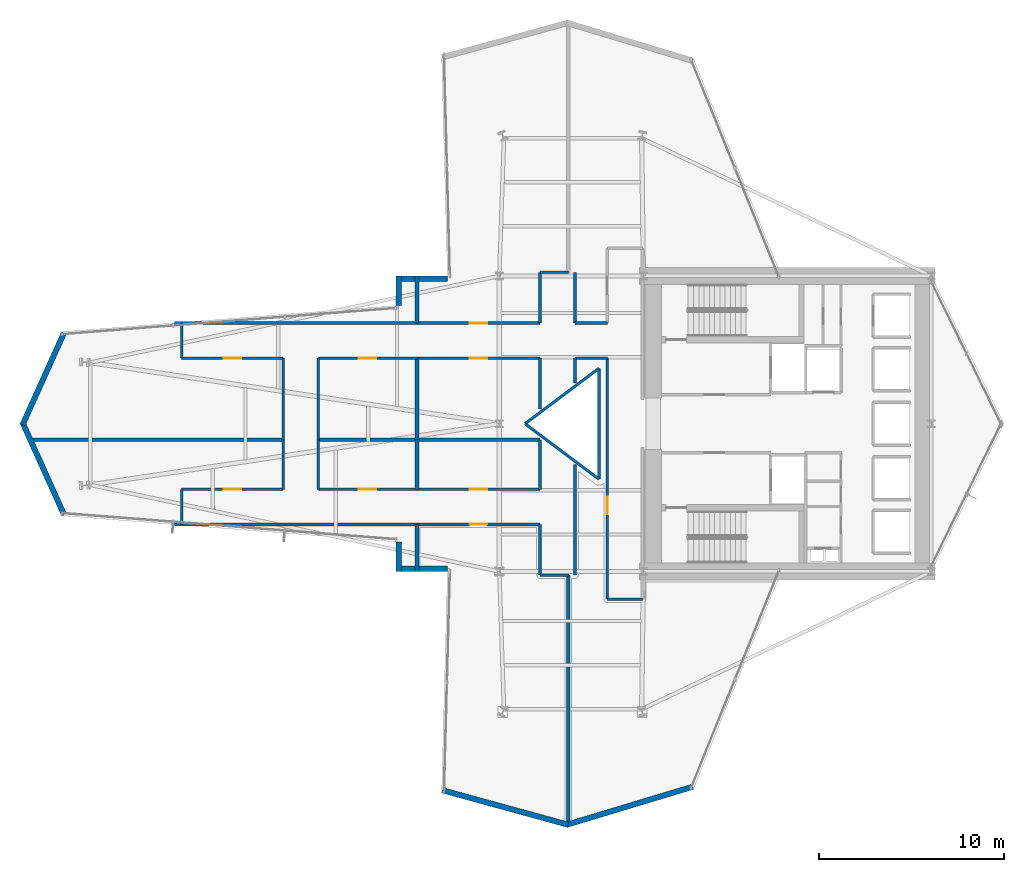
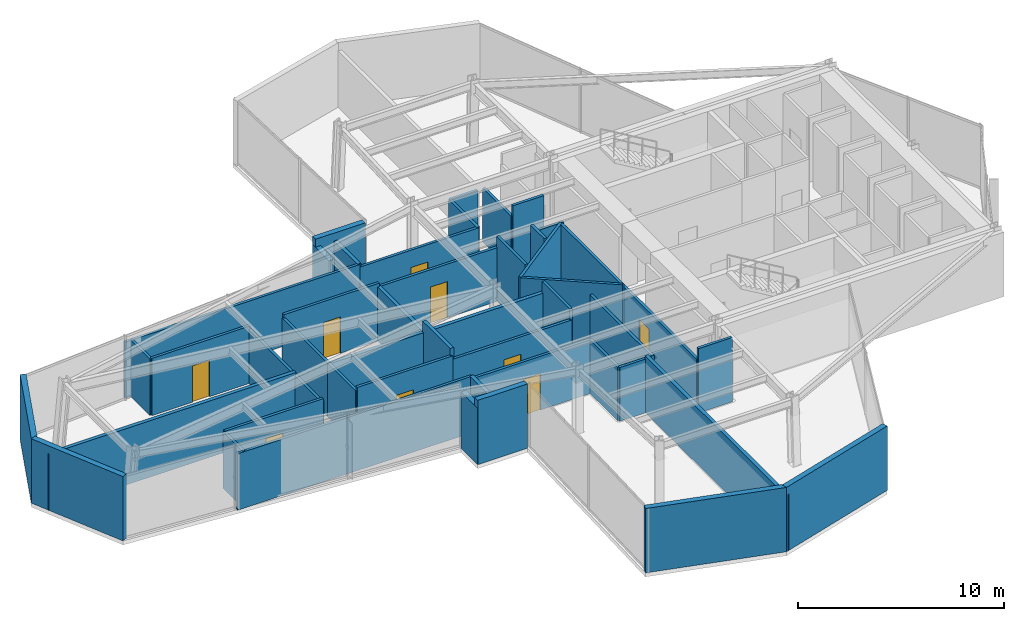
# One storey, part 27 of 31: 48 walls, 9 doors, 9 openings.
"""IFC4 building model written with IfcOpenShell, lengths in metres."""

from ifc_helpers import new_model, si_unit, direction, frame, frame_2d, origin, place, context, subcontext, project, spatial, rectangle, extrude, material, layer, layer_set, type_object, element, fill, save


model = new_model("IFC4")

# Units and contexts
model_context = context("Model", 3, precision=1e-05, world=origin(), true_north=direction((0.0, 1.0)))
body_context = subcontext(model_context, "Body", "Model", "MODEL_VIEW")
ifc_project = project(units=[si_unit("LENGTHUNIT", "METRE"), si_unit("AREAUNIT", "SQUARE_METRE"), si_unit("VOLUMEUNIT", "CUBIC_METRE"), si_unit("PLANEANGLEUNIT", "RADIAN"), si_unit("MASSUNIT", "GRAM", prefix="KILO")], contexts=[model_context])

# Site, building, storey
site_placement = place(None, origin())
site = spatial("IfcSite", under=ifc_project, at=site_placement, CompositionType="ELEMENT")
building_placement = place(site_placement, origin())
building = spatial("IfcBuilding", under=site, at=building_placement, Name="Veymaron Broadcast Tower", CompositionType="ELEMENT")
storey_placement = place(building_placement, frame((0.0, 0.0, 70.199951171875)))
storey = spatial("IfcBuildingStorey", under=building, at=storey_placement, Name="L15", CompositionType="ELEMENT", Elevation=70.199951171875)

# Walls
ifc_material_1 = material(Name="Concrete C40/50", Category="concrete")
ifc_layer_1 = layer(ifc_material_1, 0.199951171875)
ifc_layer_set_1 = layer_set([ifc_layer_1], Name="Concrete C40/50")
wall_type_1 = type_object("IfcWallType", Name="WALL-BLK-200", PredefinedType="SOLIDWALL", material=ifc_layer_set_1)
wall_1_placement = place(storey_placement, frame((34.94091796875, 2.1640625, 0.0), z_axis=(0.0, 0.0, 1.0), x_axis=(0.0, 1.0, 0.0)))
element("IfcWall", 1, at=wall_1_placement, inside=storey, type_object=wall_type_1, Name="L15 partition IW-L15-P34", PredefinedType="SOLIDWALL", context=body_context, shape_type="SweptSolid", body=[
    extrude(rectangle(XDim=13.635986328125, YDim=0.199951171875, at=frame_2d((6.81787109375, 0.0))), origin(), (0.0, 0.0, 1.0), 3.338134765625),
])
wall_2_placement = place(storey_placement, frame((26.738037109375, 16.0, 0.0), z_axis=(0.0, 0.0, 1.0), x_axis=(0.0, 1.0, 0.0)))
element("IfcWall", 2, at=wall_2_placement, inside=storey, type_object=wall_type_1, Name="L15 partition IW-L15-P35", PredefinedType="SOLIDWALL", context=body_context, shape_type="SweptSolid", body=[
    extrude(rectangle(XDim=2.550048828125, YDim=0.199951171875, at=frame_2d((1.27490234375, 0.0))), origin(), (0.0, 0.0, 1.0), 3.338134765625),
])
wall_3_placement = place(storey_placement, frame((5.649658203125, 23.1259765625, 0.0), z_axis=(0.0, 0.0, 1.0), x_axis=(1.0, 0.0, 0.0)))
element("IfcWall", 3, at=wall_3_placement, inside=storey, type_object=wall_type_1, Name="L15 partition IW-L15-P36", PredefinedType="SOLIDWALL", context=body_context, shape_type="SweptSolid", body=[
    extrude(rectangle(XDim=13.850341796875, YDim=0.199951171875, at=frame_2d((6.92529296875, 0.0))), origin(), (0.0, 0.0, 1.0), 3.338134765625),
])
wall_4_placement = place(storey_placement, frame((26.738037109375, 20.449951171875, 0.0), z_axis=(0.0, 0.0, 1.0), x_axis=(0.0, 1.0, 0.0)))
element("IfcWall", 4, at=wall_4_placement, inside=storey, type_object=wall_type_1, Name="L15 partition IW-L15-P37", PredefinedType="SOLIDWALL", context=body_context, shape_type="SweptSolid", body=[
    extrude(rectangle(XDim=2.676025390625, YDim=0.199951171875, at=frame_2d((1.337890625, 0.0))), origin(), (0.0, 0.0, 1.0), 3.81005859375),
])
wall_5_placement = place(storey_placement, frame((21.39990234375, 23.1259765625, 0.0), z_axis=(0.0, 0.0, 1.0), x_axis=(1.0, 0.0, 0.0)))
element("IfcWall", 5, at=wall_5_placement, inside=storey, type_object=wall_type_1, Name="L15 partition IW-L15-P38", PredefinedType="SOLIDWALL", context=body_context, shape_type="SweptSolid", body=[
    extrude(rectangle(XDim=5.338134765625, YDim=0.199951171875, at=frame_2d((2.6689453125, 0.0))), origin(), (0.0, 0.0, 1.0), 3.18115234375),
])
wall_6_placement = place(storey_placement, frame((26.738037109375, 23.1259765625, 0.0), z_axis=(0.0, 0.0, 1.0), x_axis=(1.0, 0.0, 0.0)))
element("IfcWall", 6, at=wall_6_placement, inside=storey, type_object=wall_type_1, Name="L15 partition IW-L15-P39", PredefinedType="SOLIDWALL", context=body_context, shape_type="SweptSolid", body=[
    extrude(rectangle(XDim=6.661865234375, YDim=0.199951171875, at=frame_2d((3.3310546875, 0.0))), origin(), (0.0, 0.0, 1.0), 3.18115234375),
])
wall_7_placement = place(storey_placement, frame((26.738037109375, 23.1259765625, 0.0), z_axis=(0.0, 0.0, 1.0), x_axis=(0.0, 1.0, 0.0)))
element("IfcWall", 7, at=wall_7_placement, inside=storey, type_object=wall_type_1, Name="L15 partition IW-L15-P40", PredefinedType="SOLIDWALL", context=body_context, shape_type="SweptSolid", body=[
    extrude(rectangle(XDim=4.424072265625, YDim=0.199951171875, at=frame_2d((2.2119140625, 0.0))), origin(), (0.0, 0.0, 1.0), 3.18115234375),
])
wall_8_placement = place(storey_placement, frame((26.738037109375, 29.449951171875, 0.0), z_axis=(0.0, 0.0, 1.0), x_axis=(0.0, 1.0, 0.0)))
element("IfcWall", 8, at=wall_8_placement, inside=storey, type_object=wall_type_1, Name="L15 partition IW-L15-P41", PredefinedType="SOLIDWALL", context=body_context, shape_type="SweptSolid", body=[
    extrude(rectangle(XDim=2.550048828125, YDim=0.199951171875, at=frame_2d((1.27490234375, 0.0))), origin(), (0.0, 0.0, 1.0), 3.338134765625),
])
ifc_material_2 = material(Name="Precast concrete C40/50 with mineral-wool insulation", Category="concrete")
ifc_layer_2 = layer(ifc_material_2, 0.300048828125)
ifc_layer_set_2 = layer_set([ifc_layer_2], Name="Precast concrete C40/50 with mineral-wool insulation")
wall_type_2 = type_object("IfcWallType", Name="WALL-EXT-300", PredefinedType="STANDARD", material=ifc_layer_set_2)
wall_9_placement = place(storey_placement, frame((28.386962890625, 31.860107421875, 0.0), z_axis=(0.0, 0.0, 1.0), x_axis=(-1.0, 0.0, 0.0)))
element("IfcWall", 9, at=wall_9_placement, inside=storey, type_object=wall_type_2, Name="L15 notched corner facade pier 9-1", PredefinedType="STANDARD", context=body_context, shape_type="SweptSolid", body=[
    extrude(rectangle(XDim=2.779052734375, YDim=0.300048828125, at=frame_2d((1.3896484375, 0.0))), origin(), (0.0, 0.0, 1.0), 3.81005859375),
])
wall_10_placement = place(storey_placement, frame((25.748046875, 32.0, 0.0), z_axis=(0.0, 0.0, 1.0), x_axis=(0.0, -1.0, 0.0)))
element("IfcWall", 10, at=wall_10_placement, inside=storey, type_object=wall_type_2, Name="L15 notched corner facade pier 10-1", PredefinedType="STANDARD", context=body_context, shape_type="SweptSolid", body=[
    extrude(rectangle(XDim=1.599609375, YDim=0.300048828125, at=frame_2d((0.7998046875, 0.0))), origin(), (0.0, 0.0, 1.0), 3.338134765625),
])
for number, where, z_axis, x_axis, name in (
    (11, (7.627685546875, 28.92578125, 0.0), (0.0, 0.0, 1.0), (-0.410572698698, -0.911827867025, 0.0), "L15 notched corner facade pier 12-1"),
    (12, (5.3837890625, 24.0576171875, 0.0), (0.0, 0.0, 1.0), (0.410572698698, -0.911827867025, 0.0), "L15 notched corner facade pier 13-1"),
):
    element("IfcWall", number, at=place(storey_placement, frame(where, z_axis=z_axis, x_axis=x_axis)), inside=storey, type_object=wall_type_2, Name=name, PredefinedType="STANDARD", context=body_context, shape_type="SweptSolid", body=[
        extrude(rectangle(XDim=5.46533203125, YDim=0.300048828125, at=frame_2d((2.732666015625, 0.0))), origin(), (0.0, 0.0, 1.0), 3.81005859375),
    ])
wall_11_placement = place(storey_placement, frame((25.748046875, 17.599609375, 0.0), z_axis=(0.0, 0.0, 1.0), x_axis=(0.0, -1.0, 0.0)))
element("IfcWall", 13, at=wall_11_placement, inside=storey, type_object=wall_type_2, Name="L15 notched corner facade pier 15-1", PredefinedType="STANDARD", context=body_context, shape_type="SweptSolid", body=[
    extrude(rectangle(XDim=1.599609375, YDim=0.300048828125, at=frame_2d((0.7998046875, 0.0))), origin(), (0.0, 0.0, 1.0), 3.338134765625),
])
wall_12_placement = place(storey_placement, frame((25.60791015625, 16.139892578125, 0.0), z_axis=(0.0, 0.0, 1.0), x_axis=(1.0, 0.0, 0.0)))
element("IfcWall", 14, at=wall_12_placement, inside=storey, type_object=wall_type_2, Name="L15 notched corner facade pier 16-1", PredefinedType="STANDARD", context=body_context, shape_type="SweptSolid", body=[
    extrude(rectangle(XDim=2.779052734375, YDim=0.300048828125, at=frame_2d((1.3896484375, 0.0))), origin(), (0.0, 0.0, 1.0), 3.81005859375),
])
wall_13_placement = place(storey_placement, frame((28.10888671875, 4.154052734375, 0.0), z_axis=(0.0, 0.0, 1.0), x_axis=(0.96439075506, -0.264481514581, 0.0)))
element("IfcWall", 15, at=wall_13_placement, inside=storey, type_object=wall_type_2, Name="L15 notched corner facade pier 18-1", PredefinedType="STANDARD", context=body_context, shape_type="SweptSolid", body=[
    extrude(rectangle(XDim=7.07080078125, YDim=0.300048828125, at=frame_2d((3.535400390625, 0.0))), origin(), (0.0, 0.0, 1.0), 3.81005859375),
])
wall_14_placement = place(storey_placement, frame((34.8505859375, 2.282958984375, 0.0), z_axis=(0.0, 0.0, 1.0), x_axis=(0.957387451844, 0.288806625707, 0.0)))
element("IfcWall", 16, at=wall_14_placement, inside=storey, type_object=wall_type_2, Name="L15 notched corner facade pier 19-1", PredefinedType="STANDARD", context=body_context, shape_type="SweptSolid", body=[
    extrude(rectangle(XDim=7.122802734375, YDim=0.300048828125, at=frame_2d((3.5615234375, 0.0))), origin(), (0.0, 0.0, 1.0), 3.81005859375),
])

# Wall, opening, door
ifc_material_3 = material(Name="Gypsum fireboard and steel stud framing", Category="steel")
ifc_layer_3 = layer(ifc_material_3, 0.14990234375)
ifc_layer_set_3 = layer_set([ifc_layer_3], Name="Gypsum fireboard and steel stud framing")
wall_type_3 = type_object("IfcWallType", Name="WALL-FIRE-150", PredefinedType="PARTITIONING", material=ifc_layer_set_3)
wall_15_placement = place(storey_placement, frame((26.738037109375, 18.550048828125, 0.0), z_axis=(0.0, 0.0, 1.0), x_axis=(1.0, 0.0, 0.0)))
wall_15 = element("IfcWall", 17, at=wall_15_placement, inside=storey, type_object=wall_type_3, Name="L15 partition IW-L15-P01", PredefinedType="PARTITIONING", context=body_context, shape_type="SweptSolid", body=[
    extrude(rectangle(XDim=6.661865234375, YDim=0.14990234375, at=frame_2d((3.3310546875, 0.0))), origin(), (0.0, 0.0, 1.0), 3.18115234375),
])
opening_1_placement = place(wall_15_placement, frame((2.85595703125, 0.0, 0.0)))
opening_1 = element("IfcOpeningElement", 18, at=opening_1_placement, cuts=wall_15, Name="Opening ID-RM1", PredefinedType="OPENING", context=body_context, shape_type="SweptSolid", body=[
    extrude(rectangle(XDim=0.949951171875, YDim=2.14990234375, at=frame_2d((0.47509765625, 1.074951171875))), frame((0.0, 0.0849609375, 0.0), z_axis=(0.0, -1.0, 0.0), x_axis=(1.0, 0.0, 0.0)), (0.0, 0.0, 1.0), 0.169921875),
])
ifc_material_4 = material(Name="Acoustic solid-core European oak veneer timber", Category="wood")
door_type = type_object("IfcDoorType", Name="DOOR-INT-950", OperationType="NOTDEFINED", PredefinedType="DOOR", material=ifc_material_4)
door_1_placement = place(opening_1_placement, frame((0.949951171875, 0.0, 0.0), z_axis=(0.0, 0.0, 1.0), x_axis=(-1.0, 0.0, 0.0)))
door_1 = element("IfcDoor", 19, at=door_1_placement, inside=storey, type_object=door_type, Name="L15 door DR-L15-P01", OperationType="SINGLE_SWING_RIGHT", OverallHeight=2.14990234375, OverallWidth=0.949951171875, PredefinedType="DOOR", context=body_context, shape_type="SweptSolid", body=[
    extrude(rectangle(XDim=0.949951171875, YDim=2.14990234375, at=frame_2d((0.47509765625, 1.074951171875))), frame((0.0, 0.02490234375, 0.0), z_axis=(0.0, -1.0, 0.0), x_axis=(1.0, 0.0, 0.0)), (0.0, 0.0, 1.0), 0.050048828125),
])
fill(opening_1, door_1)

wall_16_placement = place(storey_placement, frame((37.050048828125, 14.5, 0.0), z_axis=(0.0, 0.0, 1.0), x_axis=(0.0, 1.0, 0.0)))
wall_16 = element("IfcWall", 20, at=wall_16_placement, inside=storey, type_object=wall_type_3, Name="L15 partition IW-L15-P04", PredefinedType="PARTITIONING", context=body_context, shape_type="SweptSolid", body=[
    extrude(rectangle(XDim=13.050048828125, YDim=0.14990234375, at=frame_2d((6.52490234375, 0.0))), origin(), (0.0, 0.0, 1.0), 3.18115234375),
])
opening_2_placement = place(wall_16_placement, frame((4.610107421875, 0.0, 0.0)))
opening_2 = element("IfcOpeningElement", 21, at=opening_2_placement, cuts=wall_16, Name="Opening ID-RM1", PredefinedType="OPENING", context=body_context, shape_type="SweptSolid", body=[
    extrude(rectangle(XDim=0.949951171875, YDim=2.14990234375, at=frame_2d((0.47509765625, 1.074951171875))), frame((0.0, 0.0849609375, 0.0), z_axis=(0.0, -1.0, 0.0), x_axis=(1.0, 0.0, 0.0)), (0.0, 0.0, 1.0), 0.169921875),
])
door_2_placement = place(opening_2_placement, frame((0.949951171875, 0.0, 0.0), z_axis=(0.0, 0.0, 1.0), x_axis=(-1.0, 0.0, 0.0)))
door_2 = element("IfcDoor", 22, at=door_2_placement, inside=storey, type_object=door_type, Name="L15 door DR-L15-P04", OperationType="SINGLE_SWING_LEFT", OverallHeight=2.14990234375, OverallWidth=0.949951171875, PredefinedType="DOOR", context=body_context, shape_type="SweptSolid", body=[
    extrude(rectangle(XDim=0.949951171875, YDim=2.14990234375, at=frame_2d((0.47509765625, 1.074951171875))), frame((0.0, 0.02490234375, 0.0), z_axis=(0.0, -1.0, 0.0), x_axis=(1.0, 0.0, 0.0)), (0.0, 0.0, 1.0), 0.050048828125),
])
fill(opening_2, door_2)

wall_17_placement = place(storey_placement, frame((14.0, 20.449951171875, 0.0), z_axis=(0.0, 0.0, 1.0), x_axis=(1.0, 0.0, 0.0)))
wall_17 = element("IfcWall", 23, at=wall_17_placement, inside=storey, type_object=wall_type_3, Name="L15 partition IW-L15-P11", PredefinedType="PARTITIONING", context=body_context, shape_type="SweptSolid", body=[
    extrude(rectangle(XDim=5.5, YDim=0.14990234375, at=frame_2d((2.75, 0.0))), origin(), (0.0, 0.0, 1.0), 3.39111328125),
])
opening_3_placement = place(wall_17_placement, frame((2.27490234375, 0.0, 0.0)))
opening_3 = element("IfcOpeningElement", 24, at=opening_3_placement, cuts=wall_17, Name="Opening ID-RM1", PredefinedType="OPENING", context=body_context, shape_type="SweptSolid", body=[
    extrude(rectangle(XDim=0.949951171875, YDim=2.14990234375, at=frame_2d((0.47509765625, 1.074951171875))), frame((0.0, 0.0849609375, 0.0), z_axis=(0.0, -1.0, 0.0), x_axis=(1.0, 0.0, 0.0)), (0.0, 0.0, 1.0), 0.169921875),
])
door_3_placement = place(opening_3_placement, origin())
door_3 = element("IfcDoor", 25, at=door_3_placement, inside=storey, type_object=door_type, Name="L15 door DR-L15-P11", OperationType="SINGLE_SWING_RIGHT", OverallHeight=2.14990234375, OverallWidth=0.949951171875, PredefinedType="DOOR", context=body_context, shape_type="SweptSolid", body=[
    extrude(rectangle(XDim=0.949951171875, YDim=2.14990234375, at=frame_2d((0.47509765625, 1.074951171875))), frame((0.0, 0.02490234375, 0.0), z_axis=(0.0, -1.0, 0.0), x_axis=(1.0, 0.0, 0.0)), (0.0, 0.0, 1.0), 0.050048828125),
])
fill(opening_3, door_3)

wall_18_placement = place(storey_placement, frame((21.39990234375, 20.449951171875, 0.0), z_axis=(0.0, 0.0, 1.0), x_axis=(1.0, 0.0, 0.0)))
wall_18 = element("IfcWall", 26, at=wall_18_placement, inside=storey, type_object=wall_type_3, Name="L15 partition IW-L15-P14", PredefinedType="PARTITIONING", context=body_context, shape_type="SweptSolid", body=[
    extrude(rectangle(XDim=5.338134765625, YDim=0.14990234375, at=frame_2d((2.6689453125, 0.0))), origin(), (0.0, 0.0, 1.0), 3.39111328125),
])
opening_4_placement = place(wall_18_placement, frame((2.194091796875, 0.0, 0.0)))
opening_4 = element("IfcOpeningElement", 27, at=opening_4_placement, cuts=wall_18, Name="Opening ID-RM1", PredefinedType="OPENING", context=body_context, shape_type="SweptSolid", body=[
    extrude(rectangle(XDim=0.949951171875, YDim=2.14990234375, at=frame_2d((0.47509765625, 1.074951171875))), frame((0.0, 0.0849609375, 0.0), z_axis=(0.0, -1.0, 0.0), x_axis=(1.0, 0.0, 0.0)), (0.0, 0.0, 1.0), 0.169921875),
])
door_4_placement = place(opening_4_placement, origin())
door_4 = element("IfcDoor", 28, at=door_4_placement, inside=storey, type_object=door_type, Name="L15 door DR-L15-P14", OperationType="SINGLE_SWING_LEFT", OverallHeight=2.14990234375, OverallWidth=0.949951171875, PredefinedType="DOOR", context=body_context, shape_type="SweptSolid", body=[
    extrude(rectangle(XDim=0.949951171875, YDim=2.14990234375, at=frame_2d((0.47509765625, 1.074951171875))), frame((0.0, 0.02490234375, 0.0), z_axis=(0.0, -1.0, 0.0), x_axis=(1.0, 0.0, 0.0)), (0.0, 0.0, 1.0), 0.050048828125),
])
fill(opening_4, door_4)

wall_19_placement = place(storey_placement, frame((26.738037109375, 20.449951171875, 0.0), z_axis=(0.0, 0.0, 1.0), x_axis=(1.0, 0.0, 0.0)))
wall_19 = element("IfcWall", 29, at=wall_19_placement, inside=storey, type_object=wall_type_3, Name="L15 partition IW-L15-P16", PredefinedType="PARTITIONING", context=body_context, shape_type="SweptSolid", body=[
    extrude(rectangle(XDim=6.661865234375, YDim=0.14990234375, at=frame_2d((3.3310546875, 0.0))), origin(), (0.0, 0.0, 1.0), 3.18115234375),
])
opening_5_placement = place(wall_19_placement, frame((2.85595703125, 0.0, 0.0)))
opening_5 = element("IfcOpeningElement", 30, at=opening_5_placement, cuts=wall_19, Name="Opening ID-RM1", PredefinedType="OPENING", context=body_context, shape_type="SweptSolid", body=[
    extrude(rectangle(XDim=0.949951171875, YDim=2.14990234375, at=frame_2d((0.47509765625, 1.074951171875))), frame((0.0, 0.0849609375, 0.0), z_axis=(0.0, -1.0, 0.0), x_axis=(1.0, 0.0, 0.0)), (0.0, 0.0, 1.0), 0.169921875),
])
door_5_placement = place(opening_5_placement, origin())
door_5 = element("IfcDoor", 31, at=door_5_placement, inside=storey, type_object=door_type, Name="L15 door DR-L15-P16", OperationType="SINGLE_SWING_LEFT", OverallHeight=2.14990234375, OverallWidth=0.949951171875, PredefinedType="DOOR", context=body_context, shape_type="SweptSolid", body=[
    extrude(rectangle(XDim=0.949951171875, YDim=2.14990234375, at=frame_2d((0.47509765625, 1.074951171875))), frame((0.0, 0.02490234375, 0.0), z_axis=(0.0, -1.0, 0.0), x_axis=(1.0, 0.0, 0.0)), (0.0, 0.0, 1.0), 0.050048828125),
])
fill(opening_5, door_5)

wall_20_placement = place(storey_placement, frame((21.39990234375, 27.550048828125, 0.0), z_axis=(0.0, 0.0, 1.0), x_axis=(1.0, 0.0, 0.0)))
wall_20 = element("IfcWall", 32, at=wall_20_placement, inside=storey, type_object=wall_type_3, Name="L15 partition IW-L15-P18", PredefinedType="PARTITIONING", context=body_context, shape_type="SweptSolid", body=[
    extrude(rectangle(XDim=5.338134765625, YDim=0.14990234375, at=frame_2d((2.6689453125, 0.0))), origin(), (0.0, 0.0, 1.0), 3.39111328125),
])
opening_6_placement = place(wall_20_placement, frame((2.194091796875, 0.0, 0.0)))
opening_6 = element("IfcOpeningElement", 33, at=opening_6_placement, cuts=wall_20, Name="Opening ID-RM1", PredefinedType="OPENING", context=body_context, shape_type="SweptSolid", body=[
    extrude(rectangle(XDim=0.949951171875, YDim=2.14990234375, at=frame_2d((0.47509765625, 1.074951171875))), frame((0.0, 0.0849609375, 0.0), z_axis=(0.0, -1.0, 0.0), x_axis=(1.0, 0.0, 0.0)), (0.0, 0.0, 1.0), 0.169921875),
])
door_6_placement = place(opening_6_placement, frame((0.949951171875, 0.0, 0.0), z_axis=(0.0, 0.0, 1.0), x_axis=(-1.0, 0.0, 0.0)))
door_6 = element("IfcDoor", 34, at=door_6_placement, inside=storey, type_object=door_type, Name="L15 door DR-L15-P18", OperationType="SINGLE_SWING_LEFT", OverallHeight=2.14990234375, OverallWidth=0.949951171875, PredefinedType="DOOR", context=body_context, shape_type="SweptSolid", body=[
    extrude(rectangle(XDim=0.949951171875, YDim=2.14990234375, at=frame_2d((0.47509765625, 1.074951171875))), frame((0.0, 0.02490234375, 0.0), z_axis=(0.0, -1.0, 0.0), x_axis=(1.0, 0.0, 0.0)), (0.0, 0.0, 1.0), 0.050048828125),
])
fill(opening_6, door_6)

wall_21_placement = place(storey_placement, frame((26.738037109375, 27.550048828125, 0.0), z_axis=(0.0, 0.0, 1.0), x_axis=(1.0, 0.0, 0.0)))
wall_21 = element("IfcWall", 35, at=wall_21_placement, inside=storey, type_object=wall_type_3, Name="L15 partition IW-L15-P20", PredefinedType="PARTITIONING", context=body_context, shape_type="SweptSolid", body=[
    extrude(rectangle(XDim=6.661865234375, YDim=0.14990234375, at=frame_2d((3.3310546875, 0.0))), origin(), (0.0, 0.0, 1.0), 3.18115234375),
])
opening_7_placement = place(wall_21_placement, frame((2.85595703125, 0.0, 0.0)))
opening_7 = element("IfcOpeningElement", 36, at=opening_7_placement, cuts=wall_21, Name="Opening ID-RM1", PredefinedType="OPENING", context=body_context, shape_type="SweptSolid", body=[
    extrude(rectangle(XDim=0.949951171875, YDim=2.14990234375, at=frame_2d((0.47509765625, 1.074951171875))), frame((0.0, 0.0849609375, 0.0), z_axis=(0.0, -1.0, 0.0), x_axis=(1.0, 0.0, 0.0)), (0.0, 0.0, 1.0), 0.169921875),
])
door_7_placement = place(opening_7_placement, frame((0.949951171875, 0.0, 0.0), z_axis=(0.0, 0.0, 1.0), x_axis=(-1.0, 0.0, 0.0)))
door_7 = element("IfcDoor", 37, at=door_7_placement, inside=storey, type_object=door_type, Name="L15 door DR-L15-P20", OperationType="SINGLE_SWING_LEFT", OverallHeight=2.14990234375, OverallWidth=0.949951171875, PredefinedType="DOOR", context=body_context, shape_type="SweptSolid", body=[
    extrude(rectangle(XDim=0.949951171875, YDim=2.14990234375, at=frame_2d((0.47509765625, 1.074951171875))), frame((0.0, 0.02490234375, 0.0), z_axis=(0.0, -1.0, 0.0), x_axis=(1.0, 0.0, 0.0)), (0.0, 0.0, 1.0), 0.050048828125),
])
fill(opening_7, door_7)

wall_22_placement = place(storey_placement, frame((14.0, 27.550048828125, 0.0), z_axis=(0.0, 0.0, 1.0), x_axis=(1.0, 0.0, 0.0)))
wall_22 = element("IfcWall", 38, at=wall_22_placement, inside=storey, type_object=wall_type_3, Name="L15 partition IW-L15-P23", PredefinedType="PARTITIONING", context=body_context, shape_type="SweptSolid", body=[
    extrude(rectangle(XDim=5.5, YDim=0.14990234375, at=frame_2d((2.75, 0.0))), origin(), (0.0, 0.0, 1.0), 3.39111328125),
])
opening_8_placement = place(wall_22_placement, frame((2.27490234375, 0.0, 0.0)))
opening_8 = element("IfcOpeningElement", 39, at=opening_8_placement, cuts=wall_22, Name="Opening ID-RM1", PredefinedType="OPENING", context=body_context, shape_type="SweptSolid", body=[
    extrude(rectangle(XDim=0.949951171875, YDim=2.14990234375, at=frame_2d((0.47509765625, 1.074951171875))), frame((0.0, 0.0849609375, 0.0), z_axis=(0.0, -1.0, 0.0), x_axis=(1.0, 0.0, 0.0)), (0.0, 0.0, 1.0), 0.169921875),
])
door_8_placement = place(opening_8_placement, frame((0.949951171875, 0.0, 0.0), z_axis=(0.0, 0.0, 1.0), x_axis=(-1.0, 0.0, 0.0)))
door_8 = element("IfcDoor", 40, at=door_8_placement, inside=storey, type_object=door_type, Name="L15 door DR-L15-P23", OperationType="SINGLE_SWING_RIGHT", OverallHeight=2.14990234375, OverallWidth=0.949951171875, PredefinedType="DOOR", context=body_context, shape_type="SweptSolid", body=[
    extrude(rectangle(XDim=0.949951171875, YDim=2.14990234375, at=frame_2d((0.47509765625, 1.074951171875))), frame((0.0, 0.02490234375, 0.0), z_axis=(0.0, -1.0, 0.0), x_axis=(1.0, 0.0, 0.0)), (0.0, 0.0, 1.0), 0.050048828125),
])
fill(opening_8, door_8)

wall_23_placement = place(storey_placement, frame((26.738037109375, 29.449951171875, 0.0), z_axis=(0.0, 0.0, 1.0), x_axis=(1.0, 0.0, 0.0)))
wall_23 = element("IfcWall", 41, at=wall_23_placement, inside=storey, type_object=wall_type_3, Name="L15 partition IW-L15-P26", PredefinedType="PARTITIONING", context=body_context, shape_type="SweptSolid", body=[
    extrude(rectangle(XDim=6.661865234375, YDim=0.14990234375, at=frame_2d((3.3310546875, 0.0))), origin(), (0.0, 0.0, 1.0), 3.18115234375),
])
opening_9_placement = place(wall_23_placement, frame((2.85595703125, 0.0, 0.0)))
opening_9 = element("IfcOpeningElement", 42, at=opening_9_placement, cuts=wall_23, Name="Opening ID-RM1", PredefinedType="OPENING", context=body_context, shape_type="SweptSolid", body=[
    extrude(rectangle(XDim=0.949951171875, YDim=2.14990234375, at=frame_2d((0.47509765625, 1.074951171875))), frame((0.0, 0.0849609375, 0.0), z_axis=(0.0, -1.0, 0.0), x_axis=(1.0, 0.0, 0.0)), (0.0, 0.0, 1.0), 0.169921875),
])
door_9_placement = place(opening_9_placement, origin())
door_9 = element("IfcDoor", 43, at=door_9_placement, inside=storey, type_object=door_type, Name="L15 door DR-L15-P26", OperationType="SINGLE_SWING_LEFT", OverallHeight=2.14990234375, OverallWidth=0.949951171875, PredefinedType="DOOR", context=body_context, shape_type="SweptSolid", body=[
    extrude(rectangle(XDim=0.949951171875, YDim=2.14990234375, at=frame_2d((0.47509765625, 1.074951171875))), frame((0.0, 0.02490234375, 0.0), z_axis=(0.0, -1.0, 0.0), x_axis=(1.0, 0.0, 0.0)), (0.0, 0.0, 1.0), 0.050048828125),
])
fill(opening_9, door_9)

# Walls
wall_24_placement = place(storey_placement, frame((33.39990234375, 15.800048828125, 0.0), z_axis=(0.0, 0.0, 1.0), x_axis=(0.0, 1.0, 0.0)))
element("IfcWall", 44, at=wall_24_placement, inside=storey, type_object=wall_type_3, Name="L15 partition IW-L15-P02", PredefinedType="PARTITIONING", context=body_context, shape_type="SweptSolid", body=[
    extrude(rectangle(XDim=2.75, YDim=0.14990234375, at=frame_2d((1.375, 0.0))), origin(), (0.0, 0.0, 1.0), 3.18115234375),
])
wall_25_placement = place(storey_placement, frame((33.39990234375, 15.800048828125, 0.0), z_axis=(0.0, 0.0, 1.0), x_axis=(1.0, 0.0, 0.0)))
element("IfcWall", 45, at=wall_25_placement, inside=storey, type_object=wall_type_3, Name="L15 partition IW-L15-P03", PredefinedType="PARTITIONING", context=body_context, shape_type="SweptSolid", body=[
    extrude(rectangle(XDim=1.541015625, YDim=0.14990234375, at=frame_2d((0.7705078125, 0.0))), origin(), (0.0, 0.0, 1.0), 3.18115234375),
])
wall_26_placement = place(storey_placement, frame((35.300048828125, 15.800048828125, 0.0), z_axis=(0.0, 0.0, 1.0), x_axis=(0.0, 1.0, 0.0)))
element("IfcWall", 46, at=wall_26_placement, inside=storey, type_object=wall_type_3, Name="L15 partition IW-L15-P06", PredefinedType="PARTITIONING", context=body_context, shape_type="SweptSolid", body=[
    extrude(rectangle(XDim=5.987548828125, YDim=0.14990234375, at=frame_2d((2.99365234375, 0.0))), origin(), (0.0, 0.0, 1.0), 3.18115234375),
])
wall_27_placement = place(storey_placement, frame((37.050048828125, 14.5, 0.0), z_axis=(0.0, 0.0, 1.0), x_axis=(1.0, 0.0, 0.0)))
element("IfcWall", 47, at=wall_27_placement, inside=storey, type_object=wall_type_3, Name="L15 partition IW-L15-P07", PredefinedType="PARTITIONING", context=body_context, shape_type="SweptSolid", body=[
    extrude(rectangle(XDim=1.89990234375, YDim=0.14990234375, at=frame_2d((0.949951171875, 0.0))), origin(), (0.0, 0.0, 1.0), 3.81005859375),
])
wall_28_placement = place(storey_placement, frame((35.300048828125, 27.550048828125, 0.0), z_axis=(0.0, 0.0, 1.0), x_axis=(1.0, 0.0, 0.0)))
element("IfcWall", 48, at=wall_28_placement, inside=storey, type_object=wall_type_3, Name="L15 partition IW-L15-P08", PredefinedType="PARTITIONING", context=body_context, shape_type="SweptSolid", body=[
    extrude(rectangle(XDim=1.75, YDim=0.14990234375, at=frame_2d((0.875, 0.0))), origin(), (0.0, 0.0, 1.0), 3.39111328125),
])
wall_29_placement = place(storey_placement, frame((35.300048828125, 26.21240234375, 0.0), z_axis=(0.0, 0.0, 1.0), x_axis=(0.0, 1.0, 0.0)))
element("IfcWall", 49, at=wall_29_placement, inside=storey, type_object=wall_type_3, Name="L15 partition IW-L15-P09", PredefinedType="PARTITIONING", context=body_context, shape_type="SweptSolid", body=[
    extrude(rectangle(XDim=1.337646484375, YDim=0.14990234375, at=frame_2d((0.6689453125, 0.0))), origin(), (0.0, 0.0, 1.0), 3.81005859375),
])
wall_30_placement = place(storey_placement, frame((13.603515625, 18.550048828125, 0.0), z_axis=(0.0, 0.0, 1.0), x_axis=(1.0, 0.0, 0.0)))
element("IfcWall", 50, at=wall_30_placement, inside=storey, type_object=wall_type_3, Name="L15 partition IW-L15-P10", PredefinedType="PARTITIONING", context=body_context, shape_type="SweptSolid", body=[
    extrude(rectangle(XDim=13.134521484375, YDim=0.14990234375, at=frame_2d((6.5673828125, 0.0))), origin(), (0.0, 0.0, 1.0), 3.338134765625),
])
wall_31_placement = place(storey_placement, frame((19.5, 20.449951171875, 0.0), z_axis=(0.0, 0.0, 1.0), x_axis=(0.0, 1.0, 0.0)))
element("IfcWall", 51, at=wall_31_placement, inside=storey, type_object=wall_type_3, Name="L15 partition IW-L15-P12", PredefinedType="PARTITIONING", context=body_context, shape_type="SweptSolid", body=[
    extrude(rectangle(XDim=2.676025390625, YDim=0.14990234375, at=frame_2d((1.337890625, 0.0))), origin(), (0.0, 0.0, 1.0), 3.18115234375),
])
wall_32_placement = place(storey_placement, frame((14.0, 18.550048828125, 0.0), z_axis=(0.0, 0.0, 1.0), x_axis=(0.0, 1.0, 0.0)))
element("IfcWall", 52, at=wall_32_placement, inside=storey, type_object=wall_type_3, Name="L15 partition IW-L15-P13", PredefinedType="PARTITIONING", context=body_context, shape_type="SweptSolid", body=[
    extrude(rectangle(XDim=1.89990234375, YDim=0.14990234375, at=frame_2d((0.949951171875, 0.0))), origin(), (0.0, 0.0, 1.0), 3.338134765625),
])
wall_33_placement = place(storey_placement, frame((21.39990234375, 20.449951171875, 0.0), z_axis=(0.0, 0.0, 1.0), x_axis=(0.0, 1.0, 0.0)))
element("IfcWall", 53, at=wall_33_placement, inside=storey, type_object=wall_type_3, Name="L15 partition IW-L15-P15", PredefinedType="PARTITIONING", context=body_context, shape_type="SweptSolid", body=[
    extrude(rectangle(XDim=2.676025390625, YDim=0.14990234375, at=frame_2d((1.337890625, 0.0))), origin(), (0.0, 0.0, 1.0), 3.18115234375),
])
wall_34_placement = place(storey_placement, frame((33.39990234375, 20.449951171875, 0.0), z_axis=(0.0, 0.0, 1.0), x_axis=(0.0, 1.0, 0.0)))
element("IfcWall", 54, at=wall_34_placement, inside=storey, type_object=wall_type_3, Name="L15 partition IW-L15-P17", PredefinedType="PARTITIONING", context=body_context, shape_type="SweptSolid", body=[
    extrude(rectangle(XDim=2.676025390625, YDim=0.14990234375, at=frame_2d((1.337890625, 0.0))), origin(), (0.0, 0.0, 1.0), 3.81005859375),
])
wall_35_placement = place(storey_placement, frame((21.39990234375, 23.1259765625, 0.0), z_axis=(0.0, 0.0, 1.0), x_axis=(0.0, 1.0, 0.0)))
element("IfcWall", 55, at=wall_35_placement, inside=storey, type_object=wall_type_3, Name="L15 partition IW-L15-P19", PredefinedType="PARTITIONING", context=body_context, shape_type="SweptSolid", body=[
    extrude(rectangle(XDim=4.424072265625, YDim=0.14990234375, at=frame_2d((2.2119140625, 0.0))), origin(), (0.0, 0.0, 1.0), 3.18115234375),
])
wall_36_placement = place(storey_placement, frame((33.39990234375, 24.78759765625, 0.0), z_axis=(0.0, 0.0, 1.0), x_axis=(0.0, 1.0, 0.0)))
element("IfcWall", 56, at=wall_36_placement, inside=storey, type_object=wall_type_3, Name="L15 partition IW-L15-P21", PredefinedType="PARTITIONING", context=body_context, shape_type="SweptSolid", body=[
    extrude(rectangle(XDim=2.762451171875, YDim=0.14990234375, at=frame_2d((1.38134765625, 0.0))), origin(), (0.0, 0.0, 1.0), 3.81005859375),
])
wall_37_placement = place(storey_placement, frame((13.603515625, 29.449951171875, 0.0), z_axis=(0.0, 0.0, 1.0), x_axis=(1.0, 0.0, 0.0)))
element("IfcWall", 57, at=wall_37_placement, inside=storey, type_object=wall_type_3, Name="L15 partition IW-L15-P22", PredefinedType="PARTITIONING", context=body_context, shape_type="SweptSolid", body=[
    extrude(rectangle(XDim=13.134521484375, YDim=0.14990234375, at=frame_2d((6.5673828125, 0.0))), origin(), (0.0, 0.0, 1.0), 3.338134765625),
])
wall_38_placement = place(storey_placement, frame((19.5, 23.1259765625, 0.0), z_axis=(0.0, 0.0, 1.0), x_axis=(0.0, 1.0, 0.0)))
element("IfcWall", 58, at=wall_38_placement, inside=storey, type_object=wall_type_3, Name="L15 partition IW-L15-P24", PredefinedType="PARTITIONING", context=body_context, shape_type="SweptSolid", body=[
    extrude(rectangle(XDim=4.424072265625, YDim=0.14990234375, at=frame_2d((2.2119140625, 0.0))), origin(), (0.0, 0.0, 1.0), 3.18115234375),
])
wall_39_placement = place(storey_placement, frame((14.0, 27.550048828125, 0.0), z_axis=(0.0, 0.0, 1.0), x_axis=(0.0, 1.0, 0.0)))
element("IfcWall", 59, at=wall_39_placement, inside=storey, type_object=wall_type_3, Name="L15 partition IW-L15-P25", PredefinedType="PARTITIONING", context=body_context, shape_type="SweptSolid", body=[
    extrude(rectangle(XDim=1.89990234375, YDim=0.14990234375, at=frame_2d((0.949951171875, 0.0))), origin(), (0.0, 0.0, 1.0), 3.338134765625),
])
wall_40_placement = place(storey_placement, frame((33.39990234375, 29.449951171875, 0.0), z_axis=(0.0, 0.0, 1.0), x_axis=(0.0, 1.0, 0.0)))
element("IfcWall", 60, at=wall_40_placement, inside=storey, type_object=wall_type_3, Name="L15 partition IW-L15-P27", PredefinedType="PARTITIONING", context=body_context, shape_type="SweptSolid", body=[
    extrude(rectangle(XDim=2.75, YDim=0.14990234375, at=frame_2d((1.375, 0.0))), origin(), (0.0, 0.0, 1.0), 3.18115234375),
])
wall_41_placement = place(storey_placement, frame((33.39990234375, 32.199951171875, 0.0), z_axis=(0.0, 0.0, 1.0), x_axis=(1.0, 0.0, 0.0)))
element("IfcWall", 61, at=wall_41_placement, inside=storey, type_object=wall_type_3, Name="L15 partition IW-L15-P28", PredefinedType="PARTITIONING", context=body_context, shape_type="SweptSolid", body=[
    extrude(rectangle(XDim=1.541015625, YDim=0.14990234375, at=frame_2d((0.7705078125, 0.0))), origin(), (0.0, 0.0, 1.0), 3.18115234375),
])
wall_42_placement = place(storey_placement, frame((35.300048828125, 29.449951171875, 0.0), z_axis=(0.0, 0.0, 1.0), x_axis=(0.0, 1.0, 0.0)))
element("IfcWall", 62, at=wall_42_placement, inside=storey, type_object=wall_type_3, Name="L15 partition IW-L15-P31", PredefinedType="PARTITIONING", context=body_context, shape_type="SweptSolid", body=[
    extrude(rectangle(XDim=2.75, YDim=0.14990234375, at=frame_2d((1.375, 0.0))), origin(), (0.0, 0.0, 1.0), 3.18115234375),
])
wall_43_placement = place(storey_placement, frame((35.300048828125, 29.449951171875, 0.0), z_axis=(0.0, 0.0, 1.0), x_axis=(1.0, 0.0, 0.0)))
element("IfcWall", 63, at=wall_43_placement, inside=storey, type_object=wall_type_3, Name="L15 partition IW-L15-P33", PredefinedType="PARTITIONING", context=body_context, shape_type="SweptSolid", body=[
    extrude(rectangle(XDim=1.75, YDim=0.14990234375, at=frame_2d((0.875, 0.0))), origin(), (0.0, 0.0, 1.0), 3.81005859375),
])
ifc_material_5 = material(Name="Fire-rated laminated glass in aluminium frame", Category="aluminium")
ifc_layer_4 = layer(ifc_material_5, 0.14990234375)
ifc_layer_set_4 = layer_set([ifc_layer_4], Name="Fire-rated laminated glass in aluminium frame")
wall_type_4 = type_object("IfcWallType", Name="WALL-GLZ-150", PredefinedType="MOVABLE", material=ifc_layer_set_4)
wall_44_placement = place(storey_placement, frame((32.60009765625, 24.0, 0.0), z_axis=(0.0, 0.0, 1.0), x_axis=(0.8, -0.6, 0.0)))
element("IfcWall", 64, at=wall_44_placement, inside=storey, type_object=wall_type_4, Name="L15 partition IW-L15-ATR1", PredefinedType="MOVABLE", context=body_context, shape_type="SweptSolid", body=[
    extrude(rectangle(XDim=5.0, YDim=0.14990234375, at=frame_2d((2.5, 0.0))), origin(), (0.0, 0.0, 1.0), 3.81005859375),
])
wall_45_placement = place(storey_placement, frame((36.60009765625, 21.0, 0.0), z_axis=(0.0, 0.0, 1.0), x_axis=(0.0, 1.0, 0.0)))
element("IfcWall", 65, at=wall_45_placement, inside=storey, type_object=wall_type_4, Name="L15 partition IW-L15-ATR2", PredefinedType="MOVABLE", context=body_context, shape_type="SweptSolid", body=[
    extrude(rectangle(XDim=6.0, YDim=0.14990234375, at=frame_2d((3.0, 0.0))), origin(), (0.0, 0.0, 1.0), 3.81005859375),
])
wall_46_placement = place(storey_placement, frame((36.60009765625, 27.0, 0.0), z_axis=(0.0, 0.0, 1.0), x_axis=(-0.8, -0.6, 0.0)))
element("IfcWall", 66, at=wall_46_placement, inside=storey, type_object=wall_type_4, Name="L15 partition IW-L15-ATR3", PredefinedType="MOVABLE", context=body_context, shape_type="SweptSolid", body=[
    extrude(rectangle(XDim=5.0, YDim=0.14990234375, at=frame_2d((2.5, 0.0))), origin(), (0.0, 0.0, 1.0), 3.81005859375),
])

save(model, "model.ifc")
